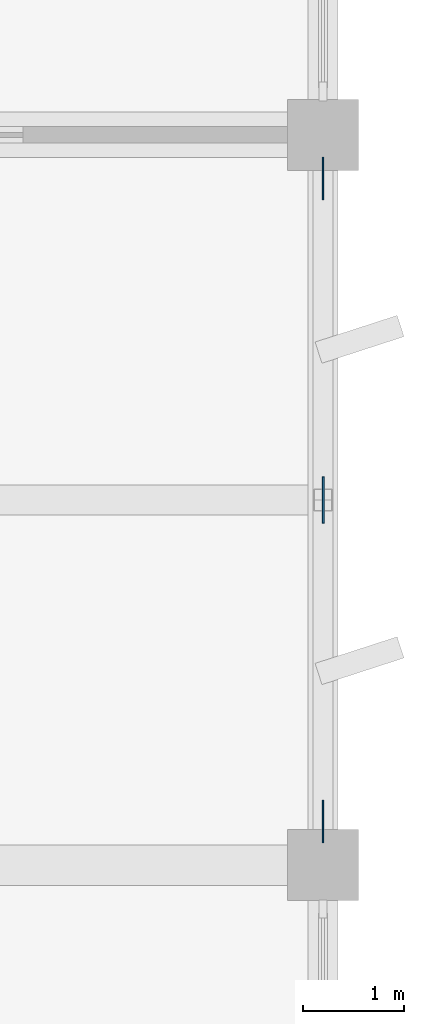
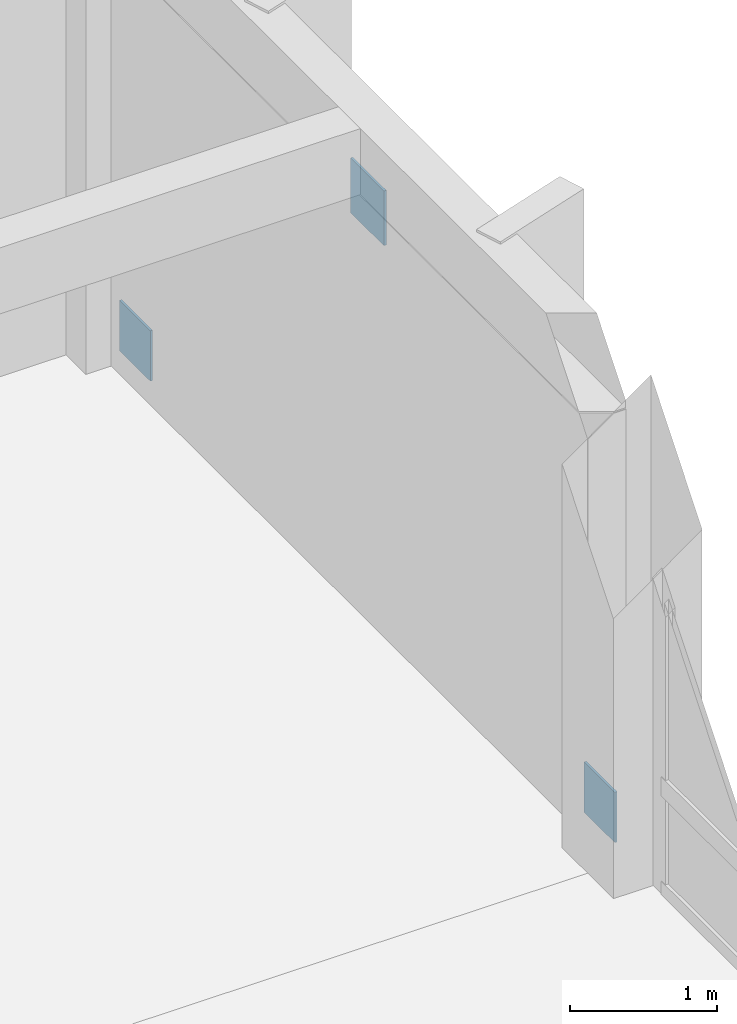
# One storey, part 49 of 70: 3 plates.
"""IFC4 building model written with IfcOpenShell, lengths in metres."""

from ifc_helpers import new_model, si_unit, direction, frame, origin, origin_2d, place, context, subcontext, project, spatial, rectangle, extrude, material, layer, layer_set, type_object, element, save


model = new_model("IFC4")

# Units and contexts
model_context = context("Model", 3, precision=1e-05, world=origin(), true_north=direction((0.0, 1.0)))
body_context = subcontext(model_context, "Body", "Model", "MODEL_VIEW")
ifc_project = project(units=[si_unit("LENGTHUNIT", "METRE"), si_unit("AREAUNIT", "SQUARE_METRE"), si_unit("VOLUMEUNIT", "CUBIC_METRE"), si_unit("PLANEANGLEUNIT", "RADIAN"), si_unit("MASSUNIT", "GRAM", prefix="KILO")], contexts=[model_context])

# Site, building, storey
site_placement = place(None, origin())
site = spatial("IfcSite", under=ifc_project, at=site_placement, CompositionType="ELEMENT")
building_placement = place(site_placement, origin())
building = spatial("IfcBuilding", under=site, at=building_placement, Name="Kavelor Marine Aquarium", CompositionType="ELEMENT")
storey_placement = place(building_placement, frame((0.0, 0.0, 9.179931640625)))
storey = spatial("IfcBuildingStorey", under=building, at=storey_placement, Name="L02", CompositionType="ELEMENT", Elevation=9.179931640625)

# Plates
ifc_material_1 = material(Name="Steel S355", Category="steel")
ifc_layer_1 = layer(ifc_material_1, 0.01953125)
ifc_layer_set_1 = layer_set([ifc_layer_1], Name="PL-GP11")
plate_type_1 = type_object("IfcPlateType", Name="PL-GP11", PredefinedType="SHEET", material=ifc_layer_set_1)
plate_placement = place(storey_placement, frame((154.39990234375, 71.199951171875, 3.0625), z_axis=(0.0, 0.0, 1.0), x_axis=(1.0, 0.0, 0.0)))
element("IfcPlate", 1, at=plate_placement, inside=storey, type_object=plate_type_1, Name="sbr:gp:m:5", PredefinedType="SHEET", context=body_context, shape_type="SweptSolid", body=[
    extrude(rectangle(XDim=0.01953125, YDim=0.455078125, at=origin_2d()), origin(), (0.0, 0.0, 1.0), 0.455078125),
])
ifc_material_2 = material(Name="Steel S355", Category="steel")
ifc_layer_2 = layer(ifc_material_2, 0.01806640625)
ifc_layer_set_2 = layer_set([ifc_layer_2], Name="PL-GP12")
plate_type_2 = type_object("IfcPlateType", Name="PL-GP12", PredefinedType="SHEET", material=ifc_layer_set_2)
for number, where, z_axis, x_axis, name in (
    (2, (154.39990234375, 68.030029296875, 0.0), (0.0, 0.0, 1.0), (1.0, 0.0, 0.0), "sbr:gp:a:5"),
    (3, (154.39990234375, 74.3701171875, 0.0), (0.0, 0.0, 1.0), (1.0, 0.0, 0.0), "sbr:gp:b:5"),
):
    element("IfcPlate", number, at=place(storey_placement, frame(where, z_axis=z_axis, x_axis=x_axis)), inside=storey, type_object=plate_type_2, Name=name, PredefinedType="SHEET", context=body_context, shape_type="SweptSolid", body=[
        extrude(rectangle(XDim=0.01806640625, YDim=0.419921875, at=origin_2d()), origin(), (0.0, 0.0, 1.0), 0.419921875),
    ])

save(model, "model.ifc")
